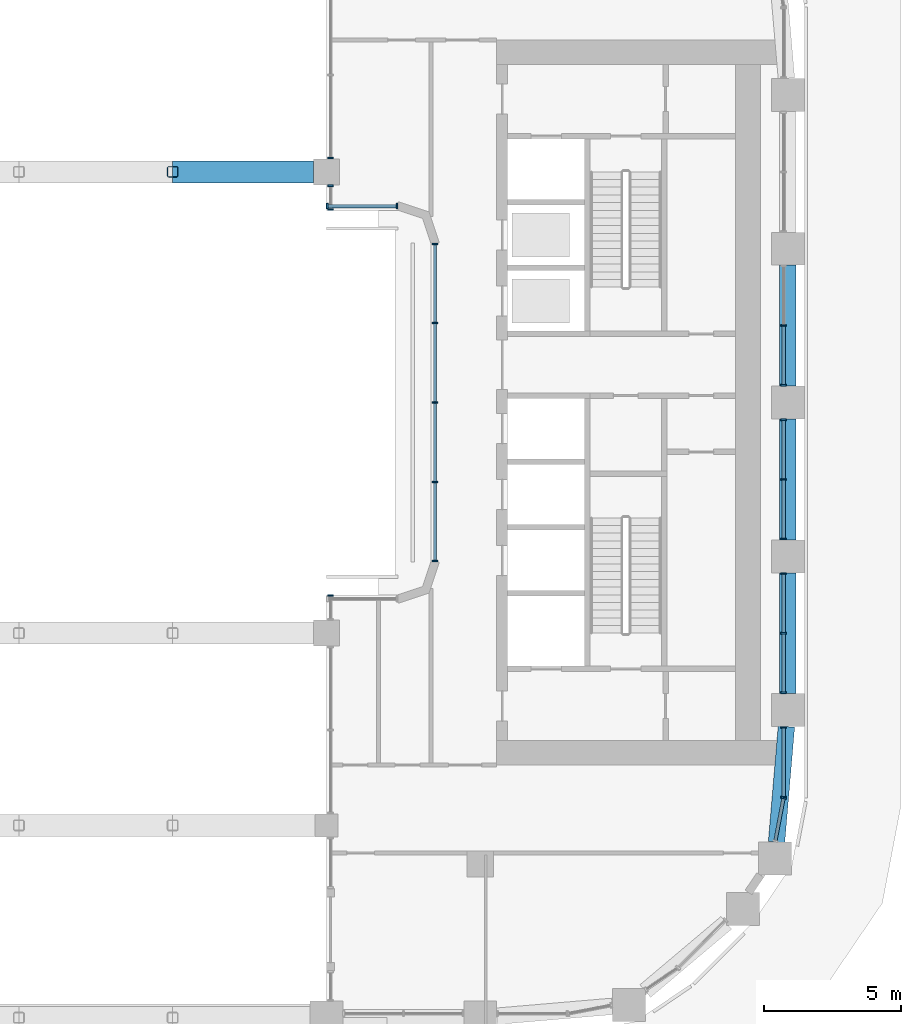
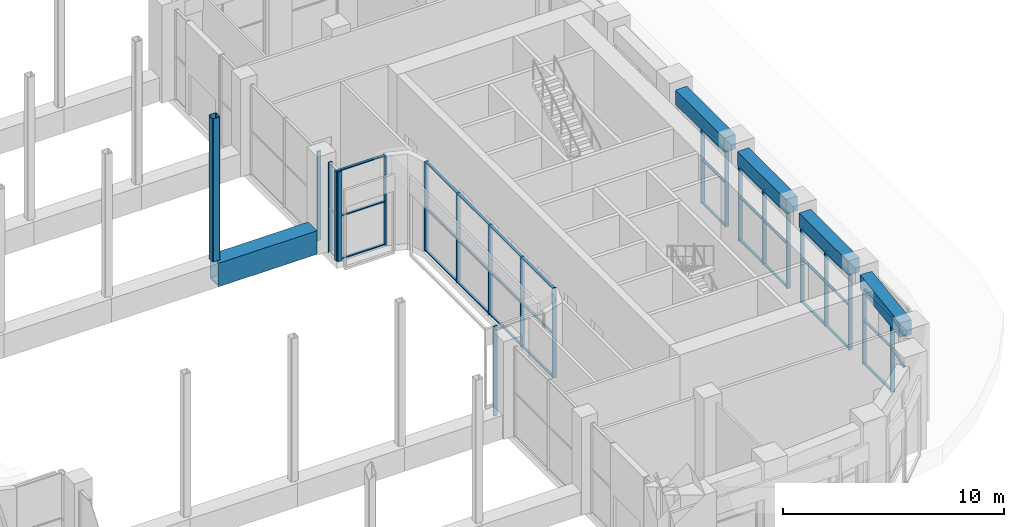
# One storey, part 6 of 28: 59 members, 4 beams, 10 elements without a shape of their own.
"""IFC4 building model written with IfcOpenShell, lengths in metres."""

from ifc_helpers import new_model, si_unit, direction, frame, origin, origin_2d, place, context, subcontext, project, spatial, rectangle, hollow_rectangle, extrude, material, layer, layer_set, material_profile, profile_set, type_object, element, aggregate, save


model = new_model("IFC4")

# Units and contexts
model_context = context("Model", 3, precision=1e-05, world=origin(), true_north=direction((0.0, 1.0)))
body_context = subcontext(model_context, "Body", "Model", "MODEL_VIEW")
ifc_project = project(units=[si_unit("LENGTHUNIT", "METRE"), si_unit("AREAUNIT", "SQUARE_METRE"), si_unit("VOLUMEUNIT", "CUBIC_METRE"), si_unit("PLANEANGLEUNIT", "RADIAN"), si_unit("MASSUNIT", "GRAM", prefix="KILO")], contexts=[model_context])

# Site, building, storey
site_placement = place(None, origin())
site = spatial("IfcSite", under=ifc_project, at=site_placement, CompositionType="ELEMENT")
building_placement = place(site_placement, origin())
building = spatial("IfcBuilding", under=site, at=building_placement, Name="Kiln Ring Residences", CompositionType="ELEMENT")
storey_placement = place(building_placement, frame((0.0, 0.0, 125.300048828125)))
storey = spatial("IfcBuildingStorey", under=building, at=storey_placement, Name="L32", CompositionType="ELEMENT", Elevation=125.300048828125)

# Members
ifc_material_1 = material(Name="Steel S460", Category="steel")
ifc_material_profile_1 = material_profile(ifc_material_1, hollow_rectangle(XDim=0.800048828125, YDim=1.300048828125, WallThickness=0.070068359375, at=origin_2d()), Name="BOX1300x800x70")
ifc_profile_set_1 = profile_set([ifc_material_profile_1], Name="Steel S460")
member_type_1 = type_object("IfcMemberType", Name="Bridge truss chord BOX1300x800x70 S460", PredefinedType="CHORD", material=ifc_profile_set_1)
member_1_placement = place(storey_placement, frame((5.60009765625, 8.39990234375, 0.64990234375), z_axis=(1.0, 0.0, 0.0), x_axis=(0.0, 1.0, 0.0)))
element("IfcMember", 1, at=member_1_placement, inside=storey, type_object=member_type_1, Name="Bridge truss chord L32 24", PredefinedType="CHORD", context=body_context, shape_type="SweptSolid", body=[
    extrude(hollow_rectangle(XDim=0.800048828125, YDim=1.300048828125, WallThickness=0.070068359375, at=origin_2d()), origin(), (0.0, 0.0, 1.0), 5.125),
])
ifc_material_2 = material(Name="Steel S355", Category="steel")
ifc_material_profile_2 = material_profile(ifc_material_2, hollow_rectangle(XDim=0.39990234375, YDim=0.39990234375, WallThickness=0.02490234375, InnerFilletRadius=0.02490234375, OuterFilletRadius=0.0625, at=origin_2d()), Name="SHS400x400x25")
ifc_profile_set_2 = profile_set([ifc_material_profile_2], Name="Steel S355")
member_type_2 = type_object("IfcMemberType", Name="Bridge truss post SHS400x400x25 S355", PredefinedType="POST", material=ifc_profile_set_2)
member_2_placement = place(storey_placement, frame((5.60009765625, 8.39990234375, 1.300048828125), z_axis=(0.0, 0.0, 1.0), x_axis=(1.0, 0.0, 0.0)))
element("IfcMember", 2, at=member_2_placement, inside=storey, type_object=member_type_2, Name="Bridge truss post L32 18", PredefinedType="POST", context=body_context, shape_type="SweptSolid", body=[
    extrude(hollow_rectangle(XDim=0.39990234375, YDim=0.39990234375, WallThickness=0.02490234375, InnerFilletRadius=0.02490234375, OuterFilletRadius=0.0625, at=origin_2d()), origin(), (0.0, 0.0, 1.0), 7.89990234375),
])

# Curtain wall, member
ifc_material_3 = material(Name="Aluminium and glass", Category="aluminium")
ifc_layer = layer(ifc_material_3, 0.199951171875)
ifc_layer_set = layer_set([ifc_layer], Name="CW1 CURTAIN WALL")
curtain_wall_type = type_object("IfcCurtainWallType", Name="CW1 CURTAIN WALL", PredefinedType="NOTDEFINED", material=ifc_layer_set)
placement = place(storey_placement, origin())
curtain_wall_1 = element("IfcCurtainWall", 3, at=placement, inside=storey, type_object=curtain_wall_type, Name="Curtain wall CW1 L32", PredefinedType="NOTDEFINED")
ifc_material_4 = material(Name="Aluminium 6063-T6", Category="aluminium")
ifc_material_profile_3 = material_profile(ifc_material_4, rectangle(XDim=0.199951171875, YDim=0.06005859375, at=origin_2d()), Name="AL 200x60")
ifc_profile_set_3 = profile_set([ifc_material_profile_3], Name="Aluminium 6063-T6")
member_type_3 = type_object("IfcMemberType", Name="CW1 MULLION 200 x 60", PredefinedType="MULLION", material=ifc_profile_set_3)
member_3_placement = place(storey_placement, frame((11.35009765625, -7.030029296875, 0.0), z_axis=(0.0, 0.0, 1.0), x_axis=(1.0, 0.0, 0.0)))
member_3 = element("IfcMember", 4, at=member_3_placement, type_object=member_type_3, Name="CW1 mullion 1", PredefinedType="MULLION", context=body_context, shape_type="SweptSolid", body=[
    extrude(rectangle(XDim=0.199951171875, YDim=0.06005859375, at=origin_2d()), origin(), (0.0, 0.0, 1.0), 4.949951171875),
])
aggregate(curtain_wall_1, [member_3])

curtain_wall_2 = element("IfcCurtainWall", 5, at=placement, inside=storey, type_object=curtain_wall_type, Name="Curtain wall CW1 L32", PredefinedType="NOTDEFINED")
member_4_placement = place(storey_placement, frame((27.846923828125, -14.4013671875, 0.0), z_axis=(0.0, 0.0, 1.0), x_axis=(-0.982290257803, 0.187365550262, 0.0)))
member_4 = element("IfcMember", 6, at=member_4_placement, type_object=member_type_3, Name="CW1 mullion 2", PredefinedType="MULLION", context=body_context, shape_type="SweptSolid", body=[
    extrude(rectangle(XDim=0.199951171875, YDim=0.06005859375, at=origin_2d()), origin(), (0.0, 0.0, 1.0), 4.14990234375),
])

# Curtain wall, members
curtain_wall_3 = element("IfcCurtainWall", 7, at=placement, inside=storey, type_object=curtain_wall_type, Name="Curtain wall CW1 L32", PredefinedType="NOTDEFINED")
member_5_placement = place(storey_placement, frame((27.85009765625, -14.3701171875, 0.0), z_axis=(0.0, 0.0, 1.0), x_axis=(-1.0, 0.0, 0.0)))
member_5 = element("IfcMember", 8, at=member_5_placement, type_object=member_type_3, Name="CW1 mullion 1", PredefinedType="MULLION", context=body_context, shape_type="SweptSolid", body=[
    extrude(rectangle(XDim=0.199951171875, YDim=0.06005859375, at=origin_2d()), origin(), (0.0, 0.0, 1.0), 4.14990234375),
])
member_6_placement = place(storey_placement, frame((27.85009765625, -11.830078125, 0.0), z_axis=(0.0, 0.0, 1.0), x_axis=(-1.0, 0.0, 0.0)))
member_6 = element("IfcMember", 9, at=member_6_placement, type_object=member_type_3, Name="CW1 mullion 2", PredefinedType="MULLION", context=body_context, shape_type="SweptSolid", body=[
    extrude(rectangle(XDim=0.199951171875, YDim=0.06005859375, at=origin_2d()), origin(), (0.0, 0.0, 1.0), 4.14990234375),
])

curtain_wall_4 = element("IfcCurtainWall", 10, at=placement, inside=storey, type_object=curtain_wall_type, Name="Curtain wall CW1 L32", PredefinedType="NOTDEFINED")
member_7_placement = place(storey_placement, frame((27.85009765625, -10.570068359375, 0.0), z_axis=(0.0, 0.0, 1.0), x_axis=(-1.0, 0.0, 0.0)))
member_7 = element("IfcMember", 11, at=member_7_placement, type_object=member_type_3, Name="CW1 mullion 1", PredefinedType="MULLION", context=body_context, shape_type="SweptSolid", body=[
    extrude(rectangle(XDim=0.199951171875, YDim=0.06005859375, at=origin_2d()), origin(), (0.0, 0.0, 1.0), 4.14990234375),
])
member_8_placement = place(storey_placement, frame((27.85009765625, -8.39990234375, 0.0), z_axis=(0.0, 0.0, 1.0), x_axis=(-1.0, 0.0, 0.0)))
member_8 = element("IfcMember", 12, at=member_8_placement, type_object=member_type_3, Name="CW1 mullion 2", PredefinedType="MULLION", context=body_context, shape_type="SweptSolid", body=[
    extrude(rectangle(XDim=0.199951171875, YDim=0.06005859375, at=origin_2d()), origin(), (0.0, 0.0, 1.0), 4.14990234375),
])
member_9_placement = place(storey_placement, frame((27.85009765625, -6.22998046875, 0.0), z_axis=(0.0, 0.0, 1.0), x_axis=(-1.0, 0.0, 0.0)))
member_9 = element("IfcMember", 13, at=member_9_placement, type_object=member_type_3, Name="CW1 mullion 3", PredefinedType="MULLION", context=body_context, shape_type="SweptSolid", body=[
    extrude(rectangle(XDim=0.199951171875, YDim=0.06005859375, at=origin_2d()), origin(), (0.0, 0.0, 1.0), 4.14990234375),
])

curtain_wall_5 = element("IfcCurtainWall", 14, at=placement, inside=storey, type_object=curtain_wall_type, Name="Curtain wall CW1 L32", PredefinedType="NOTDEFINED")
member_10_placement = place(storey_placement, frame((27.85009765625, -4.969970703125, 0.0), z_axis=(0.0, 0.0, 1.0), x_axis=(-1.0, 0.0, 0.0)))
member_10 = element("IfcMember", 15, at=member_10_placement, type_object=member_type_3, Name="CW1 mullion 1", PredefinedType="MULLION", context=body_context, shape_type="SweptSolid", body=[
    extrude(rectangle(XDim=0.199951171875, YDim=0.06005859375, at=origin_2d()), origin(), (0.0, 0.0, 1.0), 4.14990234375),
])
member_11_placement = place(storey_placement, frame((27.85009765625, -2.800048828125, 0.0), z_axis=(0.0, 0.0, 1.0), x_axis=(-1.0, 0.0, 0.0)))
member_11 = element("IfcMember", 16, at=member_11_placement, type_object=member_type_3, Name="CW1 mullion 2", PredefinedType="MULLION", context=body_context, shape_type="SweptSolid", body=[
    extrude(rectangle(XDim=0.199951171875, YDim=0.06005859375, at=origin_2d()), origin(), (0.0, 0.0, 1.0), 4.14990234375),
])
member_12_placement = place(storey_placement, frame((27.85009765625, -0.6298828125, 0.0), z_axis=(0.0, 0.0, 1.0), x_axis=(-1.0, 0.0, 0.0)))
member_12 = element("IfcMember", 17, at=member_12_placement, type_object=member_type_3, Name="CW1 mullion 3", PredefinedType="MULLION", context=body_context, shape_type="SweptSolid", body=[
    extrude(rectangle(XDim=0.199951171875, YDim=0.06005859375, at=origin_2d()), origin(), (0.0, 0.0, 1.0), 4.14990234375),
])

curtain_wall_6 = element("IfcCurtainWall", 18, at=placement, inside=storey, type_object=curtain_wall_type, Name="Curtain wall CW1 L32", PredefinedType="NOTDEFINED")
member_13_placement = place(storey_placement, frame((27.85009765625, 0.6298828125, 0.0), z_axis=(0.0, 0.0, 1.0), x_axis=(-1.0, 0.0, 0.0)))
member_13 = element("IfcMember", 19, at=member_13_placement, type_object=member_type_3, Name="CW1 mullion 1", PredefinedType="MULLION", context=body_context, shape_type="SweptSolid", body=[
    extrude(rectangle(XDim=0.199951171875, YDim=0.06005859375, at=origin_2d()), origin(), (0.0, 0.0, 1.0), 4.14990234375),
])
member_14_placement = place(storey_placement, frame((27.85009765625, 2.800048828125, 0.0), z_axis=(0.0, 0.0, 1.0), x_axis=(-1.0, 0.0, 0.0)))
member_14 = element("IfcMember", 20, at=member_14_placement, type_object=member_type_3, Name="CW1 mullion 2", PredefinedType="MULLION", context=body_context, shape_type="SweptSolid", body=[
    extrude(rectangle(XDim=0.199951171875, YDim=0.06005859375, at=origin_2d()), origin(), (0.0, 0.0, 1.0), 4.14990234375),
])

# Curtain wall, member
curtain_wall_7 = element("IfcCurtainWall", 21, at=placement, inside=storey, type_object=curtain_wall_type, Name="Curtain wall CW1 L32", PredefinedType="NOTDEFINED")
member_15_placement = place(storey_placement, frame((11.35009765625, 8.905029296875, 0.0), z_axis=(0.0, 0.0, 1.0), x_axis=(1.0, 0.0, 0.0)))
member_15 = element("IfcMember", 22, at=member_15_placement, type_object=member_type_3, Name="CW1 mullion 3", PredefinedType="MULLION", context=body_context, shape_type="SweptSolid", body=[
    extrude(rectangle(XDim=0.199951171875, YDim=0.06005859375, at=origin_2d()), origin(), (0.0, 0.0, 1.0), 4.949951171875),
])
aggregate(curtain_wall_7, [member_15])

# Curtain wall, members
curtain_wall_8 = element("IfcCurtainWall", 23, at=placement, inside=storey, type_object=curtain_wall_type, Name="Curtain wall CW1 L32", PredefinedType="NOTDEFINED")
member_16_placement = place(storey_placement, frame((11.35009765625, 7.89501953125, 0.0), z_axis=(0.0, 0.0, 1.0), x_axis=(1.0, 0.0, 0.0)))
member_16 = element("IfcMember", 24, at=member_16_placement, type_object=member_type_3, Name="CW1 mullion 1", PredefinedType="MULLION", context=body_context, shape_type="SweptSolid", body=[
    extrude(rectangle(XDim=0.199951171875, YDim=0.06005859375, at=origin_2d()), origin(), (0.0, 0.0, 1.0), 4.949951171875),
])
member_17_placement = place(storey_placement, frame((11.35009765625, 7.030029296875, 0.0), z_axis=(0.0, 0.0, 1.0), x_axis=(1.0, 0.0, 0.0)))
member_17 = element("IfcMember", 25, at=member_17_placement, type_object=member_type_3, Name="CW1 mullion 2", PredefinedType="MULLION", context=body_context, shape_type="SweptSolid", body=[
    extrude(rectangle(XDim=0.199951171875, YDim=0.06005859375, at=origin_2d()), origin(), (0.0, 0.0, 1.0), 4.949951171875),
])
aggregate(curtain_wall_8, [member_16, member_17])

curtain_wall_9 = element("IfcCurtainWall", 26, at=placement, inside=storey, type_object=curtain_wall_type, Name="Curtain wall CW1 L32", PredefinedType="NOTDEFINED")
member_18_placement = place(storey_placement, frame((11.22998046875, 7.14990234375, 0.0), z_axis=(0.0, 0.0, 1.0), x_axis=(0.0, 1.0, 0.0)))
member_18 = element("IfcMember", 27, at=member_18_placement, type_object=member_type_3, Name="CW1 mullion 1", PredefinedType="MULLION", context=body_context, shape_type="SweptSolid", body=[
    extrude(rectangle(XDim=0.199951171875, YDim=0.06005859375, at=origin_2d()), origin(), (0.0, 0.0, 1.0), 4.949951171875),
])
member_19_placement = place(storey_placement, frame((13.77001953125, 7.14990234375, 0.0), z_axis=(0.0, 0.0, 1.0), x_axis=(0.0, 1.0, 0.0)))
member_19 = element("IfcMember", 28, at=member_19_placement, type_object=member_type_3, Name="CW1 mullion 2", PredefinedType="MULLION", context=body_context, shape_type="SweptSolid", body=[
    extrude(rectangle(XDim=0.199951171875, YDim=0.06005859375, at=origin_2d()), origin(), (0.0, 0.0, 1.0), 4.949951171875),
])

curtain_wall_10 = element("IfcCurtainWall", 29, at=placement, inside=storey, type_object=curtain_wall_type, Name="Curtain wall CW1 L32", PredefinedType="NOTDEFINED")
member_20_placement = place(storey_placement, frame((15.14990234375, 5.77001953125, 0.0), z_axis=(0.0, 0.0, 1.0), x_axis=(1.0, 0.0, 0.0)))
member_20 = element("IfcMember", 30, at=member_20_placement, type_object=member_type_3, Name="CW1 mullion 1", PredefinedType="MULLION", context=body_context, shape_type="SweptSolid", body=[
    extrude(rectangle(XDim=0.199951171875, YDim=0.06005859375, at=origin_2d()), origin(), (0.0, 0.0, 1.0), 4.949951171875),
])
member_21_placement = place(storey_placement, frame((15.14990234375, 2.89990234375, 0.0), z_axis=(0.0, 0.0, 1.0), x_axis=(1.0, 0.0, 0.0)))
member_21 = element("IfcMember", 31, at=member_21_placement, type_object=member_type_3, Name="CW1 mullion 2", PredefinedType="MULLION", context=body_context, shape_type="SweptSolid", body=[
    extrude(rectangle(XDim=0.199951171875, YDim=0.06005859375, at=origin_2d()), origin(), (0.0, 0.0, 1.0), 4.949951171875),
])
member_22_placement = place(storey_placement, frame((15.14990234375, 0.0, 0.0), z_axis=(0.0, 0.0, 1.0), x_axis=(1.0, 0.0, 0.0)))
member_22 = element("IfcMember", 32, at=member_22_placement, type_object=member_type_3, Name="CW1 mullion 3", PredefinedType="MULLION", context=body_context, shape_type="SweptSolid", body=[
    extrude(rectangle(XDim=0.199951171875, YDim=0.06005859375, at=origin_2d()), origin(), (0.0, 0.0, 1.0), 4.949951171875),
])
member_23_placement = place(storey_placement, frame((15.14990234375, -2.89990234375, 0.0), z_axis=(0.0, 0.0, 1.0), x_axis=(1.0, 0.0, 0.0)))
member_23 = element("IfcMember", 33, at=member_23_placement, type_object=member_type_3, Name="CW1 mullion 4", PredefinedType="MULLION", context=body_context, shape_type="SweptSolid", body=[
    extrude(rectangle(XDim=0.199951171875, YDim=0.06005859375, at=origin_2d()), origin(), (0.0, 0.0, 1.0), 4.949951171875),
])
member_24_placement = place(storey_placement, frame((15.14990234375, -5.77001953125, 0.0), z_axis=(0.0, 0.0, 1.0), x_axis=(1.0, 0.0, 0.0)))
member_24 = element("IfcMember", 34, at=member_24_placement, type_object=member_type_3, Name="CW1 mullion 5", PredefinedType="MULLION", context=body_context, shape_type="SweptSolid", body=[
    extrude(rectangle(XDim=0.199951171875, YDim=0.06005859375, at=origin_2d()), origin(), (0.0, 0.0, 1.0), 4.949951171875),
])

# Member
ifc_material_5 = material(Name="Aluminium 6063-T6", Category="aluminium")
ifc_material_profile_4 = material_profile(ifc_material_5, rectangle(XDim=0.1201171875, YDim=0.06005859375, at=origin_2d()), Name="AL 120x60")
ifc_profile_set_4 = profile_set([ifc_material_profile_4], Name="Aluminium 6063-T6")
member_type_4 = type_object("IfcMemberType", Name="CW1 TRANSOM 120 x 60", PredefinedType="USERDEFINED", material=ifc_profile_set_4)
member_25_placement = place(storey_placement, frame((27.5537109375, -15.939697265625, 2.39990234375), z_axis=(0.187243579417, 0.98231351511, 0.0), x_axis=(-0.98231351511, 0.187243579417, 0.0)))
member_25 = element("IfcMember", 35, at=member_25_placement, type_object=member_type_4, Name="CW1 transom 1.2", ObjectType="TRANSOM", PredefinedType="USERDEFINED", context=body_context, shape_type="SweptSolid", body=[
    extrude(rectangle(XDim=0.1201171875, YDim=0.06005859375, at=origin_2d()), origin(), (0.0, 0.0, 1.0), 1.535888671875),
])

member_26_placement = place(storey_placement, frame((27.5537109375, -15.939697265625, 4.119873046875), z_axis=(0.187243579417, 0.98231351511, 0.0), x_axis=(-0.98231351511, 0.187243579417, 0.0)))
member_26 = element("IfcMember", 36, at=member_26_placement, type_object=member_type_4, Name="CW1 transom 1.3", ObjectType="TRANSOM", PredefinedType="USERDEFINED", context=body_context, shape_type="SweptSolid", body=[
    extrude(rectangle(XDim=0.1201171875, YDim=0.06005859375, at=origin_2d()), origin(), (0.0, 0.0, 1.0), 1.535888671875),
])

aggregate(curtain_wall_2, [member_4, member_25, member_26])

member_27_placement = place(storey_placement, frame((27.85009765625, -14.340087890625, 0.030029296875), z_axis=(0.0, 1.0, 0.0), x_axis=(-1.0, 0.0, 0.0)))
member_27 = element("IfcMember", 37, at=member_27_placement, type_object=member_type_4, Name="CW1 transom 1.1", ObjectType="TRANSOM", PredefinedType="USERDEFINED", context=body_context, shape_type="SweptSolid", body=[
    extrude(rectangle(XDim=0.1201171875, YDim=0.06005859375, at=origin_2d()), origin(), (0.0, 0.0, 1.0), 2.47998046875),
])

member_28_placement = place(storey_placement, frame((27.85009765625, -14.340087890625, 2.39990234375), z_axis=(0.0, 1.0, 0.0), x_axis=(-1.0, 0.0, 0.0)))
member_28 = element("IfcMember", 38, at=member_28_placement, type_object=member_type_4, Name="CW1 transom 1.2", ObjectType="TRANSOM", PredefinedType="USERDEFINED", context=body_context, shape_type="SweptSolid", body=[
    extrude(rectangle(XDim=0.1201171875, YDim=0.06005859375, at=origin_2d()), origin(), (0.0, 0.0, 1.0), 2.47998046875),
])

member_29_placement = place(storey_placement, frame((27.85009765625, -14.340087890625, 4.119873046875), z_axis=(0.0, 1.0, 0.0), x_axis=(-1.0, 0.0, 0.0)))
member_29 = element("IfcMember", 39, at=member_29_placement, type_object=member_type_4, Name="CW1 transom 1.3", ObjectType="TRANSOM", PredefinedType="USERDEFINED", context=body_context, shape_type="SweptSolid", body=[
    extrude(rectangle(XDim=0.1201171875, YDim=0.06005859375, at=origin_2d()), origin(), (0.0, 0.0, 1.0), 2.47998046875),
])

aggregate(curtain_wall_3, [member_5, member_6, member_27, member_28, member_29])

member_30_placement = place(storey_placement, frame((27.85009765625, -10.5400390625, 0.030029296875), z_axis=(0.0, 1.0, 0.0), x_axis=(-1.0, 0.0, 0.0)))
member_30 = element("IfcMember", 40, at=member_30_placement, type_object=member_type_4, Name="CW1 transom 1.1", ObjectType="TRANSOM", PredefinedType="USERDEFINED", context=body_context, shape_type="SweptSolid", body=[
    extrude(rectangle(XDim=0.1201171875, YDim=0.06005859375, at=origin_2d()), origin(), (0.0, 0.0, 1.0), 2.110107421875),
])

member_31_placement = place(storey_placement, frame((27.85009765625, -10.5400390625, 2.39990234375), z_axis=(0.0, 1.0, 0.0), x_axis=(-1.0, 0.0, 0.0)))
member_31 = element("IfcMember", 41, at=member_31_placement, type_object=member_type_4, Name="CW1 transom 1.2", ObjectType="TRANSOM", PredefinedType="USERDEFINED", context=body_context, shape_type="SweptSolid", body=[
    extrude(rectangle(XDim=0.1201171875, YDim=0.06005859375, at=origin_2d()), origin(), (0.0, 0.0, 1.0), 2.110107421875),
])

member_32_placement = place(storey_placement, frame((27.85009765625, -10.5400390625, 4.119873046875), z_axis=(0.0, 1.0, 0.0), x_axis=(-1.0, 0.0, 0.0)))
member_32 = element("IfcMember", 42, at=member_32_placement, type_object=member_type_4, Name="CW1 transom 1.3", ObjectType="TRANSOM", PredefinedType="USERDEFINED", context=body_context, shape_type="SweptSolid", body=[
    extrude(rectangle(XDim=0.1201171875, YDim=0.06005859375, at=origin_2d()), origin(), (0.0, 0.0, 1.0), 2.110107421875),
])

member_33_placement = place(storey_placement, frame((27.85009765625, -8.3701171875, 0.030029296875), z_axis=(0.0, 1.0, 0.0), x_axis=(-1.0, 0.0, 0.0)))
member_33 = element("IfcMember", 43, at=member_33_placement, type_object=member_type_4, Name="CW1 transom 2.1", ObjectType="TRANSOM", PredefinedType="USERDEFINED", context=body_context, shape_type="SweptSolid", body=[
    extrude(rectangle(XDim=0.1201171875, YDim=0.06005859375, at=origin_2d()), origin(), (0.0, 0.0, 1.0), 2.110107421875),
])

member_34_placement = place(storey_placement, frame((27.85009765625, -8.3701171875, 2.39990234375), z_axis=(0.0, 1.0, 0.0), x_axis=(-1.0, 0.0, 0.0)))
member_34 = element("IfcMember", 44, at=member_34_placement, type_object=member_type_4, Name="CW1 transom 2.2", ObjectType="TRANSOM", PredefinedType="USERDEFINED", context=body_context, shape_type="SweptSolid", body=[
    extrude(rectangle(XDim=0.1201171875, YDim=0.06005859375, at=origin_2d()), origin(), (0.0, 0.0, 1.0), 2.110107421875),
])

member_35_placement = place(storey_placement, frame((27.85009765625, -8.3701171875, 4.119873046875), z_axis=(0.0, 1.0, 0.0), x_axis=(-1.0, 0.0, 0.0)))
member_35 = element("IfcMember", 45, at=member_35_placement, type_object=member_type_4, Name="CW1 transom 2.3", ObjectType="TRANSOM", PredefinedType="USERDEFINED", context=body_context, shape_type="SweptSolid", body=[
    extrude(rectangle(XDim=0.1201171875, YDim=0.06005859375, at=origin_2d()), origin(), (0.0, 0.0, 1.0), 2.110107421875),
])

aggregate(curtain_wall_4, [member_7, member_8, member_9, member_30, member_31, member_32, member_33, member_34, member_35])

member_36_placement = place(storey_placement, frame((27.85009765625, -4.93994140625, 0.030029296875), z_axis=(0.0, 1.0, 0.0), x_axis=(-1.0, 0.0, 0.0)))
member_36 = element("IfcMember", 46, at=member_36_placement, type_object=member_type_4, Name="CW1 transom 1.1", ObjectType="TRANSOM", PredefinedType="USERDEFINED", context=body_context, shape_type="SweptSolid", body=[
    extrude(rectangle(XDim=0.1201171875, YDim=0.06005859375, at=origin_2d()), origin(), (0.0, 0.0, 1.0), 2.10986328125),
])

member_37_placement = place(storey_placement, frame((27.85009765625, -4.93994140625, 2.39990234375), z_axis=(0.0, 1.0, 0.0), x_axis=(-1.0, 0.0, 0.0)))
member_37 = element("IfcMember", 47, at=member_37_placement, type_object=member_type_4, Name="CW1 transom 1.2", ObjectType="TRANSOM", PredefinedType="USERDEFINED", context=body_context, shape_type="SweptSolid", body=[
    extrude(rectangle(XDim=0.1201171875, YDim=0.06005859375, at=origin_2d()), origin(), (0.0, 0.0, 1.0), 2.10986328125),
])

member_38_placement = place(storey_placement, frame((27.85009765625, -4.93994140625, 4.119873046875), z_axis=(0.0, 1.0, 0.0), x_axis=(-1.0, 0.0, 0.0)))
member_38 = element("IfcMember", 48, at=member_38_placement, type_object=member_type_4, Name="CW1 transom 1.3", ObjectType="TRANSOM", PredefinedType="USERDEFINED", context=body_context, shape_type="SweptSolid", body=[
    extrude(rectangle(XDim=0.1201171875, YDim=0.06005859375, at=origin_2d()), origin(), (0.0, 0.0, 1.0), 2.10986328125),
])

member_39_placement = place(storey_placement, frame((27.85009765625, -2.77001953125, 0.030029296875), z_axis=(0.0, 1.0, 0.0), x_axis=(-1.0, 0.0, 0.0)))
member_39 = element("IfcMember", 49, at=member_39_placement, type_object=member_type_4, Name="CW1 transom 2.1", ObjectType="TRANSOM", PredefinedType="USERDEFINED", context=body_context, shape_type="SweptSolid", body=[
    extrude(rectangle(XDim=0.1201171875, YDim=0.06005859375, at=origin_2d()), origin(), (0.0, 0.0, 1.0), 2.110107421875),
])

member_40_placement = place(storey_placement, frame((27.85009765625, -2.77001953125, 2.39990234375), z_axis=(0.0, 1.0, 0.0), x_axis=(-1.0, 0.0, 0.0)))
member_40 = element("IfcMember", 50, at=member_40_placement, type_object=member_type_4, Name="CW1 transom 2.2", ObjectType="TRANSOM", PredefinedType="USERDEFINED", context=body_context, shape_type="SweptSolid", body=[
    extrude(rectangle(XDim=0.1201171875, YDim=0.06005859375, at=origin_2d()), origin(), (0.0, 0.0, 1.0), 2.110107421875),
])

member_41_placement = place(storey_placement, frame((27.85009765625, -2.77001953125, 4.119873046875), z_axis=(0.0, 1.0, 0.0), x_axis=(-1.0, 0.0, 0.0)))
member_41 = element("IfcMember", 51, at=member_41_placement, type_object=member_type_4, Name="CW1 transom 2.3", ObjectType="TRANSOM", PredefinedType="USERDEFINED", context=body_context, shape_type="SweptSolid", body=[
    extrude(rectangle(XDim=0.1201171875, YDim=0.06005859375, at=origin_2d()), origin(), (0.0, 0.0, 1.0), 2.110107421875),
])

aggregate(curtain_wall_5, [member_10, member_11, member_12, member_36, member_37, member_38, member_39, member_40, member_41])

member_42_placement = place(storey_placement, frame((27.85009765625, 0.659912109375, 0.030029296875), z_axis=(0.0, 1.0, 0.0), x_axis=(-1.0, 0.0, 0.0)))
member_42 = element("IfcMember", 52, at=member_42_placement, type_object=member_type_4, Name="CW1 transom 1.1", ObjectType="TRANSOM", PredefinedType="USERDEFINED", context=body_context, shape_type="SweptSolid", body=[
    extrude(rectangle(XDim=0.1201171875, YDim=0.06005859375, at=origin_2d()), origin(), (0.0, 0.0, 1.0), 2.110107421875),
])

member_43_placement = place(storey_placement, frame((27.85009765625, 0.659912109375, 2.39990234375), z_axis=(0.0, 1.0, 0.0), x_axis=(-1.0, 0.0, 0.0)))
member_43 = element("IfcMember", 53, at=member_43_placement, type_object=member_type_4, Name="CW1 transom 1.2", ObjectType="TRANSOM", PredefinedType="USERDEFINED", context=body_context, shape_type="SweptSolid", body=[
    extrude(rectangle(XDim=0.1201171875, YDim=0.06005859375, at=origin_2d()), origin(), (0.0, 0.0, 1.0), 2.110107421875),
])

member_44_placement = place(storey_placement, frame((27.85009765625, 0.659912109375, 4.119873046875), z_axis=(0.0, 1.0, 0.0), x_axis=(-1.0, 0.0, 0.0)))
member_44 = element("IfcMember", 54, at=member_44_placement, type_object=member_type_4, Name="CW1 transom 1.3", ObjectType="TRANSOM", PredefinedType="USERDEFINED", context=body_context, shape_type="SweptSolid", body=[
    extrude(rectangle(XDim=0.1201171875, YDim=0.06005859375, at=origin_2d()), origin(), (0.0, 0.0, 1.0), 2.110107421875),
])

aggregate(curtain_wall_6, [member_13, member_14, member_42, member_43, member_44])

member_45_placement = place(storey_placement, frame((11.260009765625, 7.14990234375, 0.030029296875), z_axis=(1.0, 0.0, 0.0), x_axis=(0.0, 1.0, 0.0)))
member_45 = element("IfcMember", 55, at=member_45_placement, type_object=member_type_4, Name="CW1 transom 1.1", ObjectType="TRANSOM", PredefinedType="USERDEFINED", context=body_context, shape_type="SweptSolid", body=[
    extrude(rectangle(XDim=0.1201171875, YDim=0.06005859375, at=origin_2d()), origin(), (0.0, 0.0, 1.0), 2.47998046875),
])

member_46_placement = place(storey_placement, frame((11.260009765625, 7.14990234375, 2.39990234375), z_axis=(1.0, 0.0, 0.0), x_axis=(0.0, 1.0, 0.0)))
member_46 = element("IfcMember", 56, at=member_46_placement, type_object=member_type_4, Name="CW1 transom 1.2", ObjectType="TRANSOM", PredefinedType="USERDEFINED", context=body_context, shape_type="SweptSolid", body=[
    extrude(rectangle(XDim=0.1201171875, YDim=0.06005859375, at=origin_2d()), origin(), (0.0, 0.0, 1.0), 2.47998046875),
])

member_47_placement = place(storey_placement, frame((11.260009765625, 7.14990234375, 4.919921875), z_axis=(1.0, 0.0, 0.0), x_axis=(0.0, 1.0, 0.0)))
member_47 = element("IfcMember", 57, at=member_47_placement, type_object=member_type_4, Name="CW1 transom 1.3", ObjectType="TRANSOM", PredefinedType="USERDEFINED", context=body_context, shape_type="SweptSolid", body=[
    extrude(rectangle(XDim=0.1201171875, YDim=0.06005859375, at=origin_2d()), origin(), (0.0, 0.0, 1.0), 2.47998046875),
])

aggregate(curtain_wall_9, [member_18, member_19, member_45, member_46, member_47])

member_48_placement = place(storey_placement, frame((15.14990234375, 5.739990234375, 0.030029296875), z_axis=(0.0, -1.0, 0.0), x_axis=(1.0, 0.0, 0.0)))
member_48 = element("IfcMember", 58, at=member_48_placement, type_object=member_type_4, Name="CW1 transom 1.1", ObjectType="TRANSOM", PredefinedType="USERDEFINED", context=body_context, shape_type="SweptSolid", body=[
    extrude(rectangle(XDim=0.1201171875, YDim=0.06005859375, at=origin_2d()), origin(), (0.0, 0.0, 1.0), 2.81005859375),
])

member_49_placement = place(storey_placement, frame((15.14990234375, 5.739990234375, 2.39990234375), z_axis=(0.0, -1.0, 0.0), x_axis=(1.0, 0.0, 0.0)))
member_49 = element("IfcMember", 59, at=member_49_placement, type_object=member_type_4, Name="CW1 transom 1.2", ObjectType="TRANSOM", PredefinedType="USERDEFINED", context=body_context, shape_type="SweptSolid", body=[
    extrude(rectangle(XDim=0.1201171875, YDim=0.06005859375, at=origin_2d()), origin(), (0.0, 0.0, 1.0), 2.81005859375),
])

member_50_placement = place(storey_placement, frame((15.14990234375, 5.739990234375, 4.919921875), z_axis=(0.0, -1.0, 0.0), x_axis=(1.0, 0.0, 0.0)))
member_50 = element("IfcMember", 60, at=member_50_placement, type_object=member_type_4, Name="CW1 transom 1.3", ObjectType="TRANSOM", PredefinedType="USERDEFINED", context=body_context, shape_type="SweptSolid", body=[
    extrude(rectangle(XDim=0.1201171875, YDim=0.06005859375, at=origin_2d()), origin(), (0.0, 0.0, 1.0), 2.81005859375),
])

member_51_placement = place(storey_placement, frame((15.14990234375, 2.8701171875, 0.030029296875), z_axis=(0.0, -1.0, 0.0), x_axis=(1.0, 0.0, 0.0)))
member_51 = element("IfcMember", 61, at=member_51_placement, type_object=member_type_4, Name="CW1 transom 2.1", ObjectType="TRANSOM", PredefinedType="USERDEFINED", context=body_context, shape_type="SweptSolid", body=[
    extrude(rectangle(XDim=0.1201171875, YDim=0.06005859375, at=origin_2d()), origin(), (0.0, 0.0, 1.0), 2.840087890625),
])

member_52_placement = place(storey_placement, frame((15.14990234375, 2.8701171875, 2.39990234375), z_axis=(0.0, -1.0, 0.0), x_axis=(1.0, 0.0, 0.0)))
member_52 = element("IfcMember", 62, at=member_52_placement, type_object=member_type_4, Name="CW1 transom 2.2", ObjectType="TRANSOM", PredefinedType="USERDEFINED", context=body_context, shape_type="SweptSolid", body=[
    extrude(rectangle(XDim=0.1201171875, YDim=0.06005859375, at=origin_2d()), origin(), (0.0, 0.0, 1.0), 2.840087890625),
])

member_53_placement = place(storey_placement, frame((15.14990234375, 2.8701171875, 4.919921875), z_axis=(0.0, -1.0, 0.0), x_axis=(1.0, 0.0, 0.0)))
member_53 = element("IfcMember", 63, at=member_53_placement, type_object=member_type_4, Name="CW1 transom 2.3", ObjectType="TRANSOM", PredefinedType="USERDEFINED", context=body_context, shape_type="SweptSolid", body=[
    extrude(rectangle(XDim=0.1201171875, YDim=0.06005859375, at=origin_2d()), origin(), (0.0, 0.0, 1.0), 2.840087890625),
])

member_54_placement = place(storey_placement, frame((15.14990234375, -0.030029296875, 0.030029296875), z_axis=(0.0, -1.0, 0.0), x_axis=(1.0, 0.0, 0.0)))
member_54 = element("IfcMember", 64, at=member_54_placement, type_object=member_type_4, Name="CW1 transom 3.1", ObjectType="TRANSOM", PredefinedType="USERDEFINED", context=body_context, shape_type="SweptSolid", body=[
    extrude(rectangle(XDim=0.1201171875, YDim=0.06005859375, at=origin_2d()), origin(), (0.0, 0.0, 1.0), 2.840087890625),
])

member_55_placement = place(storey_placement, frame((15.14990234375, -0.030029296875, 2.39990234375), z_axis=(0.0, -1.0, 0.0), x_axis=(1.0, 0.0, 0.0)))
member_55 = element("IfcMember", 65, at=member_55_placement, type_object=member_type_4, Name="CW1 transom 3.2", ObjectType="TRANSOM", PredefinedType="USERDEFINED", context=body_context, shape_type="SweptSolid", body=[
    extrude(rectangle(XDim=0.1201171875, YDim=0.06005859375, at=origin_2d()), origin(), (0.0, 0.0, 1.0), 2.840087890625),
])

member_56_placement = place(storey_placement, frame((15.14990234375, -0.030029296875, 4.919921875), z_axis=(0.0, -1.0, 0.0), x_axis=(1.0, 0.0, 0.0)))
member_56 = element("IfcMember", 66, at=member_56_placement, type_object=member_type_4, Name="CW1 transom 3.3", ObjectType="TRANSOM", PredefinedType="USERDEFINED", context=body_context, shape_type="SweptSolid", body=[
    extrude(rectangle(XDim=0.1201171875, YDim=0.06005859375, at=origin_2d()), origin(), (0.0, 0.0, 1.0), 2.840087890625),
])

member_57_placement = place(storey_placement, frame((15.14990234375, -2.929931640625, 0.030029296875), z_axis=(0.0, -1.0, 0.0), x_axis=(1.0, 0.0, 0.0)))
member_57 = element("IfcMember", 67, at=member_57_placement, type_object=member_type_4, Name="CW1 transom 4.1", ObjectType="TRANSOM", PredefinedType="USERDEFINED", context=body_context, shape_type="SweptSolid", body=[
    extrude(rectangle(XDim=0.1201171875, YDim=0.06005859375, at=origin_2d()), origin(), (0.0, 0.0, 1.0), 2.81005859375),
])

member_58_placement = place(storey_placement, frame((15.14990234375, -2.929931640625, 2.39990234375), z_axis=(0.0, -1.0, 0.0), x_axis=(1.0, 0.0, 0.0)))
member_58 = element("IfcMember", 68, at=member_58_placement, type_object=member_type_4, Name="CW1 transom 4.2", ObjectType="TRANSOM", PredefinedType="USERDEFINED", context=body_context, shape_type="SweptSolid", body=[
    extrude(rectangle(XDim=0.1201171875, YDim=0.06005859375, at=origin_2d()), origin(), (0.0, 0.0, 1.0), 2.81005859375),
])

member_59_placement = place(storey_placement, frame((15.14990234375, -2.929931640625, 4.919921875), z_axis=(0.0, -1.0, 0.0), x_axis=(1.0, 0.0, 0.0)))
member_59 = element("IfcMember", 69, at=member_59_placement, type_object=member_type_4, Name="CW1 transom 4.3", ObjectType="TRANSOM", PredefinedType="USERDEFINED", context=body_context, shape_type="SweptSolid", body=[
    extrude(rectangle(XDim=0.1201171875, YDim=0.06005859375, at=origin_2d()), origin(), (0.0, 0.0, 1.0), 2.81005859375),
])

aggregate(curtain_wall_10, [member_20, member_21, member_22, member_23, member_24, member_48, member_49, member_50, member_51, member_52, member_53, member_54, member_55, member_56, member_57, member_58, member_59])

# Beams
ifc_material_6 = material(Name="Concrete C50/60", Category="concrete")
ifc_material_profile_5 = material_profile(ifc_material_6, rectangle(XDim=0.60009765625, YDim=0.800048828125, at=origin_2d()), Name="RC600x800")
ifc_profile_set_5 = profile_set([ifc_material_profile_5], Name="Concrete C50/60")
beam_type = type_object("IfcBeamType", Name="Spandrel beam RC600x800 C50/60", PredefinedType="SPANDREL", material=ifc_profile_set_5)
beam_1_placement = place(storey_placement, frame((27.58935546875, -16.0087890625, 4.550048828125), z_axis=(0.085078191129, 0.996374277766, 0.0), x_axis=(-0.996374277766, 0.085078191129, 0.0)))
element("IfcBeam", 70, at=beam_1_placement, inside=storey, type_object=beam_type, Name="Spandrel beam L32 6", PredefinedType="SPANDREL", context=body_context, shape_type="SweptSolid", body=[
    extrude(rectangle(XDim=0.60009765625, YDim=0.800048828125, at=origin_2d()), origin(), (0.0, 0.0, 1.0), 4.22412109375),
])
beam_2_placement = place(storey_placement, frame((28.0, -10.60009765625, 4.550048828125), z_axis=(0.0, 1.0, 0.0), x_axis=(-1.0, 0.0, 0.0)))
element("IfcBeam", 71, at=beam_2_placement, inside=storey, type_object=beam_type, Name="Spandrel beam L32 7", PredefinedType="SPANDREL", context=body_context, shape_type="SweptSolid", body=[
    extrude(rectangle(XDim=0.60009765625, YDim=0.800048828125, at=origin_2d()), origin(), (0.0, 0.0, 1.0), 4.400146484375),
])
for number, where, z_axis, x_axis, name in (
    (72, (28.0, -5.0, 4.550048828125), (0.0, 1.0, 0.0), (-1.0, 0.0, 0.0), "Spandrel beam L32 8"),
    (73, (28.0, 0.60009765625, 4.550048828125), (0.0, 1.0, 0.0), (-1.0, 0.0, 0.0), "Spandrel beam L32 9"),
):
    element("IfcBeam", number, at=place(storey_placement, frame(where, z_axis=z_axis, x_axis=x_axis)), inside=storey, type_object=beam_type, Name=name, PredefinedType="SPANDREL", context=body_context, shape_type="SweptSolid", body=[
        extrude(rectangle(XDim=0.60009765625, YDim=0.800048828125, at=origin_2d()), origin(), (0.0, 0.0, 1.0), 4.39990234375),
    ])

save(model, "model.ifc")
